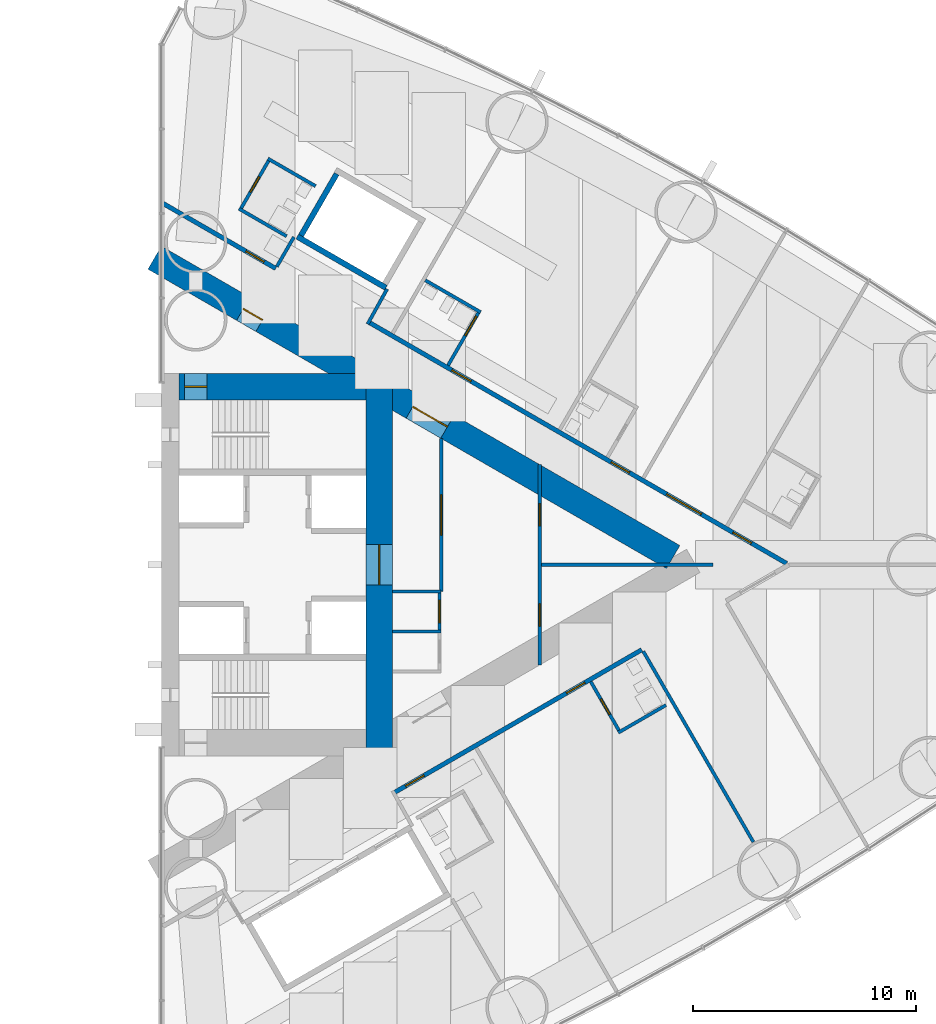
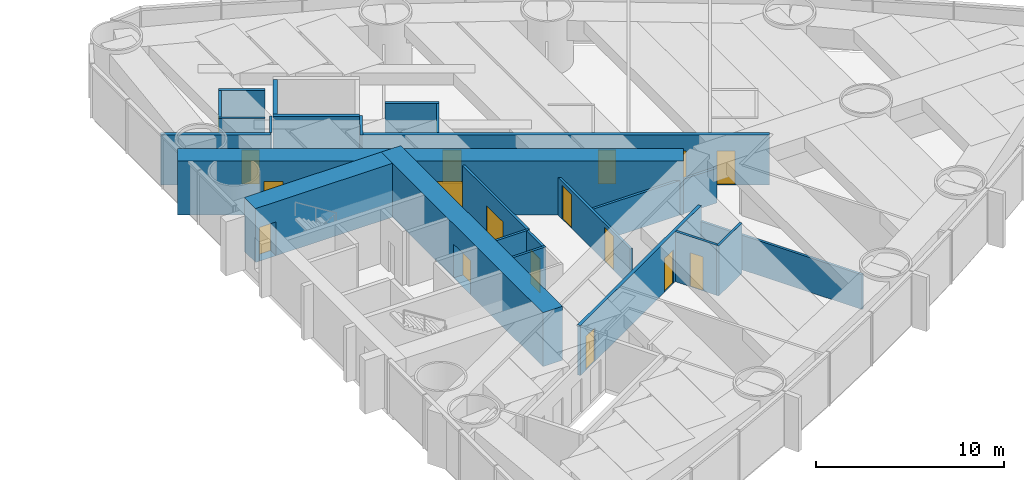
# One storey, part 15 of 19: 24 walls, 18 doors, 18 openings.
"""IFC4 building model written with IfcOpenShell, lengths in metres."""

from ifc_helpers import new_model, si_unit, direction, frame, frame_2d, origin, place, context, subcontext, project, spatial, rectangle, extrude, material, layer, layer_set, type_object, element, fill, save


model = new_model("IFC4")

# Units and contexts
model_context = context("Model", 3, precision=1e-05, world=origin(), true_north=direction((0.0, 1.0)))
body_context = subcontext(model_context, "Body", "Model", "MODEL_VIEW")
ifc_project = project(units=[si_unit("LENGTHUNIT", "METRE"), si_unit("AREAUNIT", "SQUARE_METRE"), si_unit("VOLUMEUNIT", "CUBIC_METRE"), si_unit("PLANEANGLEUNIT", "RADIAN"), si_unit("MASSUNIT", "GRAM", prefix="KILO")], contexts=[model_context])

# Site, building, storey
site_placement = place(None, origin())
site = spatial("IfcSite", under=ifc_project, at=site_placement, CompositionType="ELEMENT")
building_placement = place(site_placement, origin())
building = spatial("IfcBuilding", under=site, at=building_placement, Name="Lancet Gate Hotel", CompositionType="ELEMENT")
storey_placement = place(building_placement, frame((0.0, 0.0, 70.5)))
storey = spatial("IfcBuildingStorey", under=building, at=storey_placement, Name="L18", CompositionType="ELEMENT", Elevation=70.5)

# Wall
ifc_material_1 = material(Name="Moisture resistant board partition")
ifc_layer_1 = layer(ifc_material_1, 0.14990234375)
ifc_layer_set_1 = layer_set([ifc_layer_1], Name="Bathroom wall 150")
wall_type_1 = type_object("IfcWallType", Name="Bathroom wall 150", PredefinedType="PARTITIONING", material=ifc_layer_set_1)
wall_1_placement = place(storey_placement, frame((48.03466796875, -7.544677734375, 0.0), z_axis=(0.0, 0.0, 1.0), x_axis=(0.866006523861, 0.500032699561, 0.0)))
element("IfcWall", 1, at=wall_1_placement, inside=storey, type_object=wall_type_1, Name="T2 bathroom wall 150 L18", PredefinedType="PARTITIONING", context=body_context, shape_type="SweptSolid", body=[
    extrude(rectangle(XDim=2.474853515625, YDim=0.14990234375, at=frame_2d((1.2373046875, 0.0))), origin(), (0.0, 0.0, 1.0), 3.25),
])

# Wall, opening, door
wall_2_placement = place(storey_placement, frame((46.799560546875, -5.25537109375, 0.0), z_axis=(0.0, 0.0, 1.0), x_axis=(0.500006934395, -0.866021400173, 0.0)))
wall_2 = element("IfcWall", 2, at=wall_2_placement, inside=storey, type_object=wall_type_1, Name="T2 bathroom wall 150 L18", PredefinedType="PARTITIONING", context=body_context, shape_type="SweptSolid", body=[
    extrude(rectangle(XDim=2.60009765625, YDim=0.14990234375, at=frame_2d((1.300048828125, 0.0))), origin(), (0.0, 0.0, 1.0), 3.25),
])
opening_1_placement = place(wall_2_placement, frame((0.89990234375, 0.0, 0.0)))
opening_1 = element("IfcOpeningElement", 3, at=opening_1_placement, cuts=wall_2, Name="Opening 1854-B", PredefinedType="OPENING", context=body_context, shape_type="SweptSolid", body=[
    extrude(rectangle(XDim=0.800048828125, YDim=2.199951171875, at=frame_2d((0.39990234375, 1.10009765625))), frame((0.0, 0.0849609375, 0.0), z_axis=(0.0, -1.0, 0.0), x_axis=(1.0, 0.0, 0.0)), (0.0, 0.0, 1.0), 0.169921875),
])
ifc_material_2 = material(Name="Timber door set", Category="wood")
door_type_1 = type_object("IfcDoorType", Name="Bathroom door 800", OperationType="SINGLE_SWING_RIGHT", PredefinedType="DOOR", material=ifc_material_2)
door_1_placement = place(opening_1_placement, origin())
door_1 = element("IfcDoor", 4, at=door_1_placement, inside=storey, type_object=door_type_1, Name="1854-B", OperationType="SINGLE_SWING_RIGHT", OverallHeight=2.199951171875, OverallWidth=0.800048828125, PredefinedType="DOOR", context=body_context, shape_type="SweptSolid", body=[
    extrude(rectangle(XDim=0.800048828125, YDim=2.199951171875, at=frame_2d((0.39990234375, 1.10009765625))), frame((0.0, 0.02490234375, 0.0), z_axis=(0.0, -1.0, 0.0), x_axis=(1.0, 0.0, 0.0)), (0.0, 0.0, 1.0), 0.050048828125),
])
fill(opening_1, door_1)

# Wall
wall_3_placement = place(storey_placement, frame((39.360107421875, 12.78369140625, 0.0), z_axis=(0.0, 0.0, 1.0), x_axis=(0.866018712932, -0.500011588718, 0.0)))
element("IfcWall", 5, at=wall_3_placement, inside=storey, type_object=wall_type_1, Name="T2 bathroom wall 150 L18", PredefinedType="PARTITIONING", context=body_context, shape_type="SweptSolid", body=[
    extrude(rectangle(XDim=2.875, YDim=0.14990234375, at=frame_2d((1.4375, 0.0))), origin(), (0.0, 0.0, 1.0), 3.25),
])

# Wall, opening, door
wall_4_placement = place(storey_placement, frame((40.385009765625, 8.958984375, 0.0), z_axis=(0.0, 0.0, 1.0), x_axis=(0.49998411664, 0.866034573852, 0.0)))
wall_4 = element("IfcWall", 6, at=wall_4_placement, inside=storey, type_object=wall_type_1, Name="T2 bathroom wall 150 L18", PredefinedType="PARTITIONING", context=body_context, shape_type="SweptSolid", body=[
    extrude(rectangle(XDim=2.7998046875, YDim=0.14990234375, at=frame_2d((1.39990234375, 0.0))), origin(), (0.0, 0.0, 1.0), 3.25),
])
opening_2_placement = place(wall_4_placement, frame((1.550048828125, 0.0, 0.0)))
opening_2 = element("IfcOpeningElement", 7, at=opening_2_placement, cuts=wall_4, Name="Opening 1861-B", PredefinedType="OPENING", context=body_context, shape_type="SweptSolid", body=[
    extrude(rectangle(XDim=1.0, YDim=2.199951171875, at=frame_2d((0.5, 1.10009765625))), frame((0.0, 0.0849609375, 0.0), z_axis=(0.0, -1.0, 0.0), x_axis=(1.0, 0.0, 0.0)), (0.0, 0.0, 1.0), 0.169921875),
])
ifc_material_3 = material(Name="Timber door set", Category="wood")
door_type_2 = type_object("IfcDoorType", Name="Accessible en-suite door 1000", OperationType="SINGLE_SWING_RIGHT", PredefinedType="DOOR", material=ifc_material_3)
door_2_placement = place(opening_2_placement, origin())
door_2 = element("IfcDoor", 8, at=door_2_placement, inside=storey, type_object=door_type_2, Name="1861-B", OperationType="SINGLE_SWING_RIGHT", OverallHeight=2.199951171875, OverallWidth=1.0, PredefinedType="DOOR", context=body_context, shape_type="SweptSolid", body=[
    extrude(rectangle(XDim=1.0, YDim=2.199951171875, at=frame_2d((0.5, 1.10009765625))), frame((0.0, 0.02490234375, 0.0), z_axis=(0.0, -1.0, 0.0), x_axis=(1.0, 0.0, 0.0)), (0.0, 0.0, 1.0), 0.050048828125),
])
fill(opening_2, door_2)

# Wall
wall_5_placement = place(storey_placement, frame((32.2890625, 18.251953125, 0.0), z_axis=(0.0, 0.0, 1.0), x_axis=(0.866006523861, -0.500032699561, 0.0)))
element("IfcWall", 9, at=wall_5_placement, inside=storey, type_object=wall_type_1, Name="T2 bathroom wall 150 L18", PredefinedType="PARTITIONING", context=body_context, shape_type="SweptSolid", body=[
    extrude(rectangle(XDim=2.474853515625, YDim=0.14990234375, at=frame_2d((1.2373046875, 0.0))), origin(), (0.0, 0.0, 1.0), 3.25),
])

# Wall, opening, door
wall_6_placement = place(storey_placement, frame((31.053955078125, 15.962646484375, 0.0), z_axis=(0.0, 0.0, 1.0), x_axis=(0.500006934395, 0.866021400173, 0.0)))
wall_6 = element("IfcWall", 10, at=wall_6_placement, inside=storey, type_object=wall_type_1, Name="T2 bathroom wall 150 L18", PredefinedType="PARTITIONING", context=body_context, shape_type="SweptSolid", body=[
    extrude(rectangle(XDim=2.60009765625, YDim=0.14990234375, at=frame_2d((1.300048828125, 0.0))), origin(), (0.0, 0.0, 1.0), 3.25),
])
opening_3_placement = place(wall_6_placement, frame((0.89990234375, 0.0, 0.0)))
opening_3 = element("IfcOpeningElement", 11, at=opening_3_placement, cuts=wall_6, Name="Opening 1863-B", PredefinedType="OPENING", context=body_context, shape_type="SweptSolid", body=[
    extrude(rectangle(XDim=0.800048828125, YDim=2.199951171875, at=frame_2d((0.39990234375, 1.10009765625))), frame((0.0, 0.0849609375, 0.0), z_axis=(0.0, -1.0, 0.0), x_axis=(1.0, 0.0, 0.0)), (0.0, 0.0, 1.0), 0.169921875),
])
door_3_placement = place(opening_3_placement, origin())
door_3 = element("IfcDoor", 12, at=door_3_placement, inside=storey, type_object=door_type_1, Name="1863-B", OperationType="SINGLE_SWING_RIGHT", OverallHeight=2.199951171875, OverallWidth=0.800048828125, PredefinedType="DOOR", context=body_context, shape_type="SweptSolid", body=[
    extrude(rectangle(XDim=0.800048828125, YDim=2.199951171875, at=frame_2d((0.39990234375, 1.10009765625))), frame((0.0, 0.02490234375, 0.0), z_axis=(0.0, -1.0, 0.0), x_axis=(1.0, 0.0, 0.0)), (0.0, 0.0, 1.0), 0.050048828125),
])
fill(opening_3, door_3)

# Wall
wall_7_placement = place(storey_placement, frame((30.989013671875, 16.000244140625, 0.0), z_axis=(0.0, 0.0, 1.0), x_axis=(0.866031185235, -0.4999899861, 0.0)))
element("IfcWall", 13, at=wall_7_placement, inside=storey, type_object=wall_type_1, Name="T2 bathroom wall 150 L18", PredefinedType="PARTITIONING", context=body_context, shape_type="SweptSolid", body=[
    extrude(rectangle(XDim=2.47509765625, YDim=0.14990234375, at=frame_2d((1.237548828125, 0.0))), origin(), (0.0, 0.0, 1.0), 3.25),
])

# Wall, openings, doors
ifc_material_4 = material(Name="Concrete C70/85", Category="concrete")
ifc_layer_2 = layer(ifc_material_4, 1.199951171875)
ifc_layer_set_2 = layer_set([ifc_layer_2], Name="Buttress wall 1200")
wall_type_2 = type_object("IfcWallType", Name="Buttress wall 1200", PredefinedType="SHEAR", material=ifc_layer_set_2)
wall_8_placement = place(storey_placement, frame((27.199951171875, 13.800048828125, 0.0), z_axis=(0.0, 0.0, 1.0), x_axis=(0.866024515034, -0.500001539357, 0.0)))
wall_8 = element("IfcWall", 14, at=wall_8_placement, inside=storey, type_object=wall_type_2, Name="T2 buttress wall N L18", PredefinedType="SHEAR", context=body_context, shape_type="SweptSolid", body=[
    extrude(rectangle(XDim=26.9072265625, YDim=1.199951171875, at=frame_2d((13.45361328125, 0.0))), origin(), (0.0, 0.0, 1.0), 3.5),
])
opening_4_placement = place(wall_8_placement, frame((4.60009765625, 0.0, 0.0)))
opening_4 = element("IfcOpeningElement", 15, at=opening_4_placement, cuts=wall_8, Name="Opening T2-L18-LN", PredefinedType="OPENING", context=body_context, shape_type="SweptSolid", body=[
    extrude(rectangle(XDim=1.0, YDim=2.199951171875, at=frame_2d((0.5, 1.10009765625))), frame((0.0, 0.60986328125, 0.0), z_axis=(0.0, -1.0, 0.0), x_axis=(1.0, 0.0, 0.0)), (0.0, 0.0, 1.0), 1.219970703125),
])
opening_5_placement = place(wall_8_placement, frame((13.39453125, 0.0, 0.0)))
opening_5 = element("IfcOpeningElement", 16, at=opening_5_placement, cuts=wall_8, Name="Opening T2-L18-LHN", PredefinedType="OPENING", context=body_context, shape_type="SweptSolid", body=[
    extrude(rectangle(XDim=1.800048828125, YDim=2.199951171875, at=frame_2d((0.89990234375, 1.10009765625))), frame((0.0, 0.60986328125, 0.0), z_axis=(0.0, -1.0, 0.0), x_axis=(1.0, 0.0, 0.0)), (0.0, 0.0, 1.0), 1.219970703125),
])
ifc_material_5 = material(Name="Timber door set", Category="wood")
door_type_3 = type_object("IfcDoorType", Name="Lobby double door 1800", OperationType="DOUBLE_DOOR_SINGLE_SWING", PredefinedType="DOOR", material=ifc_material_5)
door_4_placement = place(opening_5_placement, origin())
door_4 = element("IfcDoor", 17, at=door_4_placement, inside=storey, type_object=door_type_3, Name="T2-L18-LHN", OperationType="DOUBLE_DOOR_SINGLE_SWING", OverallHeight=2.199951171875, OverallWidth=1.800048828125, PredefinedType="DOOR", context=body_context, shape_type="SweptSolid", body=[
    extrude(rectangle(XDim=1.800048828125, YDim=2.199951171875, at=frame_2d((0.89990234375, 1.10009765625))), frame((0.0, 0.02490234375, 0.0), z_axis=(0.0, -1.0, 0.0), x_axis=(1.0, 0.0, 0.0)), (0.0, 0.0, 1.0), 0.050048828125),
])
fill(opening_5, door_4)
ifc_material_6 = material(Name="Timber door set", Category="wood")
door_type_4 = type_object("IfcDoorType", Name="Stair lobby door 1000", OperationType="SINGLE_SWING_LEFT", PredefinedType="DOOR", material=ifc_material_6)
door_5_placement = place(opening_4_placement, origin())
door_5 = element("IfcDoor", 18, at=door_5_placement, inside=storey, type_object=door_type_4, Name="T2-L18-LN", OperationType="SINGLE_SWING_LEFT", OverallHeight=2.199951171875, OverallWidth=1.0, PredefinedType="DOOR", context=body_context, shape_type="SweptSolid", body=[
    extrude(rectangle(XDim=1.0, YDim=2.199951171875, at=frame_2d((0.5, 1.10009765625))), frame((0.0, 0.02490234375, 0.0), z_axis=(0.0, -1.0, 0.0), x_axis=(1.0, 0.0, 0.0)), (0.0, 0.0, 1.0), 0.050048828125),
])
fill(opening_4, door_5)

# Wall, opening, door
ifc_material_7 = material(Name="Concrete C70/85", Category="concrete")
ifc_layer_3 = layer(ifc_material_7, 1.199951171875)
ifc_layer_set_3 = layer_set([ifc_layer_3], Name="Core wall 1200")
wall_type_3 = type_object("IfcWallType", Name="Core wall 1200", PredefinedType="SHEAR", material=ifc_layer_set_3)
wall_9_placement = place(storey_placement, frame((37.300048828125, -8.60009765625, 0.0), z_axis=(0.0, 0.0, 1.0), x_axis=(0.0, 1.0, 0.0)))
wall_9 = element("IfcWall", 19, at=wall_9_placement, inside=storey, type_object=wall_type_3, Name="T2 core wall back L18", PredefinedType="SHEAR", context=body_context, shape_type="SweptSolid", body=[
    extrude(rectangle(XDim=17.2001953125, YDim=1.199951171875, at=frame_2d((8.60009765625, 0.0))), origin(), (0.0, 0.0, 1.0), 3.5),
])
opening_6_placement = place(wall_9_placement, frame((7.699951171875, 0.0, 0.0)))
opening_6 = element("IfcOpeningElement", 20, at=opening_6_placement, cuts=wall_9, Name="Opening T2-L18-LL", PredefinedType="OPENING", context=body_context, shape_type="SweptSolid", body=[
    extrude(rectangle(XDim=1.800048828125, YDim=2.199951171875, at=frame_2d((0.89990234375, 1.10009765625))), frame((0.0, 0.60986328125, 0.0), z_axis=(0.0, -1.0, 0.0), x_axis=(1.0, 0.0, 0.0)), (0.0, 0.0, 1.0), 1.219970703125),
])
door_6_placement = place(opening_6_placement, origin())
door_6 = element("IfcDoor", 21, at=door_6_placement, inside=storey, type_object=door_type_3, Name="T2-L18-LL", OperationType="DOUBLE_DOOR_SINGLE_SWING", OverallHeight=2.199951171875, OverallWidth=1.800048828125, PredefinedType="DOOR", context=body_context, shape_type="SweptSolid", body=[
    extrude(rectangle(XDim=1.800048828125, YDim=2.199951171875, at=frame_2d((0.89990234375, 1.10009765625))), frame((0.0, 0.02490234375, 0.0), z_axis=(0.0, -1.0, 0.0), x_axis=(1.0, 0.0, 0.0)), (0.0, 0.0, 1.0), 0.050048828125),
])
fill(opening_6, door_6)

wall_10_placement = place(storey_placement, frame((28.300048828125, 8.0, 0.0), z_axis=(0.0, 0.0, 1.0), x_axis=(1.0, 0.0, 0.0)))
wall_10 = element("IfcWall", 22, at=wall_10_placement, inside=storey, type_object=wall_type_3, Name="T2 core wall side-N L18", PredefinedType="SHEAR", context=body_context, shape_type="SweptSolid", body=[
    extrude(rectangle(XDim=8.39990234375, YDim=1.199951171875, at=frame_2d((4.199951171875, 0.0))), origin(), (0.0, 0.0, 1.0), 3.5),
])
opening_7_placement = place(wall_10_placement, frame((0.25, 0.0, 0.0)))
opening_7 = element("IfcOpeningElement", 23, at=opening_7_placement, cuts=wall_10, Name="Opening T2-L18-ST2", PredefinedType="OPENING", context=body_context, shape_type="SweptSolid", body=[
    extrude(rectangle(XDim=1.0, YDim=2.199951171875, at=frame_2d((0.5, 1.10009765625))), frame((0.0, 0.60986328125, 0.0), z_axis=(0.0, -1.0, 0.0), x_axis=(1.0, 0.0, 0.0)), (0.0, 0.0, 1.0), 1.219970703125),
])
ifc_material_8 = material(Name="Timber door set", Category="wood")
door_type_5 = type_object("IfcDoorType", Name="Stair door 1000", OperationType="SINGLE_SWING_RIGHT", PredefinedType="DOOR", material=ifc_material_8)
door_7_placement = place(opening_7_placement, origin())
door_7 = element("IfcDoor", 24, at=door_7_placement, inside=storey, type_object=door_type_5, Name="T2-L18-ST2", OperationType="SINGLE_SWING_RIGHT", OverallHeight=2.199951171875, OverallWidth=1.0, PredefinedType="DOOR", context=body_context, shape_type="SweptSolid", body=[
    extrude(rectangle(XDim=1.0, YDim=2.199951171875, at=frame_2d((0.5, 1.10009765625))), frame((0.0, 0.02490234375, 0.0), z_axis=(0.0, -1.0, 0.0), x_axis=(1.0, 0.0, 0.0)), (0.0, 0.0, 1.0), 0.050048828125),
])
fill(opening_7, door_7)

ifc_material_9 = material(Name="Gypsum board partition")
ifc_layer_4 = layer(ifc_material_9, 0.199951171875)
ifc_layer_set_4 = layer_set([ifc_layer_4], Name="Corridor wall 200")
wall_type_4 = type_object("IfcWallType", Name="Corridor wall 200", PredefinedType="PARTITIONING", material=ifc_layer_set_4)
wall_11_placement = place(storey_placement, frame((27.572021484375, 16.240966796875, 0.0), z_axis=(0.0, 0.0, 1.0), x_axis=(0.866032814021, -0.499987164874, 0.0)))
wall_11 = element("IfcWall", 25, at=wall_11_placement, inside=storey, type_object=wall_type_4, Name="T2 corridor wall 200 L18", PredefinedType="PARTITIONING", context=body_context, shape_type="SweptSolid", body=[
    extrude(rectangle(XDim=5.854736328125, YDim=0.199951171875, at=frame_2d((2.92724609375, 0.0))), origin(), (0.0, 0.0, 1.0), 3.25),
])
opening_8_placement = place(wall_11_placement, frame((4.3046875, 0.0, 0.0)))
opening_8 = element("IfcOpeningElement", 26, at=opening_8_placement, cuts=wall_11, Name="Opening 1863-E", PredefinedType="OPENING", context=body_context, shape_type="SweptSolid", body=[
    extrude(rectangle(XDim=0.949951171875, YDim=2.199951171875, at=frame_2d((0.47509765625, 1.10009765625))), frame((0.0, 0.10986328125, 0.0), z_axis=(0.0, -1.0, 0.0), x_axis=(1.0, 0.0, 0.0)), (0.0, 0.0, 1.0), 0.219970703125),
])
ifc_material_10 = material(Name="Timber door set", Category="wood")
door_type_6 = type_object("IfcDoorType", Name="Guest room entry door 950", OperationType="SINGLE_SWING_LEFT", PredefinedType="DOOR", material=ifc_material_10)
door_8_placement = place(opening_8_placement, origin())
door_8 = element("IfcDoor", 27, at=door_8_placement, inside=storey, type_object=door_type_6, Name="1863-E", OperationType="SINGLE_SWING_LEFT", OverallHeight=2.199951171875, OverallWidth=0.949951171875, PredefinedType="DOOR", context=body_context, shape_type="SweptSolid", body=[
    extrude(rectangle(XDim=0.949951171875, YDim=2.199951171875, at=frame_2d((0.47509765625, 1.10009765625))), frame((0.0, 0.02490234375, 0.0), z_axis=(0.0, -1.0, 0.0), x_axis=(1.0, 0.0, 0.0)), (0.0, 0.0, 1.0), 0.050048828125),
])
fill(opening_8, door_8)

# Wall, openings, doors
wall_12_placement = place(storey_placement, frame((36.833984375, 10.8935546875, 0.0), z_axis=(0.0, 0.0, 1.0), x_axis=(0.866028157229, -0.499995230863, 0.0)))
wall_12 = element("IfcWall", 28, at=wall_12_placement, inside=storey, type_object=wall_type_4, Name="T2 corridor wall 200 L18", PredefinedType="PARTITIONING", context=body_context, shape_type="SweptSolid", body=[
    extrude(rectangle(XDim=21.667236328125, YDim=0.199951171875, at=frame_2d((10.83349609375, 0.0))), origin(), (0.0, 0.0, 1.0), 3.25),
])
opening_9_placement = place(wall_12_placement, frame((18.885498046875, 0.0, 0.0)))
opening_9 = element("IfcOpeningElement", 29, at=opening_9_placement, cuts=wall_12, Name="Opening 1858-E", PredefinedType="OPENING", context=body_context, shape_type="SweptSolid", body=[
    extrude(rectangle(XDim=0.949951171875, YDim=2.199951171875, at=frame_2d((0.47509765625, 1.10009765625))), frame((0.0, 0.10986328125, 0.0), z_axis=(0.0, -1.0, 0.0), x_axis=(1.0, 0.0, 0.0)), (0.0, 0.0, 1.0), 0.219970703125),
])
opening_10_placement = place(wall_12_placement, frame((15.442626953125, 0.0, 0.0)))
opening_10 = element("IfcOpeningElement", 30, at=opening_10_placement, cuts=wall_12, Name="Opening 1859-E", PredefinedType="OPENING", context=body_context, shape_type="SweptSolid", body=[
    extrude(rectangle(XDim=1.800048828125, YDim=2.199951171875, at=frame_2d((0.89990234375, 1.10009765625))), frame((0.0, 0.10986328125, 0.0), z_axis=(0.0, -1.0, 0.0), x_axis=(1.0, 0.0, 0.0)), (0.0, 0.0, 1.0), 0.219970703125),
])
opening_11_placement = place(wall_12_placement, frame((12.561767578125, 0.0, 0.0)))
opening_11 = element("IfcOpeningElement", 31, at=opening_11_placement, cuts=wall_12, Name="Opening 1860-E", PredefinedType="OPENING", context=body_context, shape_type="SweptSolid", body=[
    extrude(rectangle(XDim=0.949951171875, YDim=2.199951171875, at=frame_2d((0.47509765625, 1.10009765625))), frame((0.0, 0.10986328125, 0.0), z_axis=(0.0, -1.0, 0.0), x_axis=(1.0, 0.0, 0.0)), (0.0, 0.0, 1.0), 0.219970703125),
])
opening_12_placement = place(wall_12_placement, frame((4.29248046875, 0.0, 0.0)))
opening_12 = element("IfcOpeningElement", 32, at=opening_12_placement, cuts=wall_12, Name="Opening 1861-E", PredefinedType="OPENING", context=body_context, shape_type="SweptSolid", body=[
    extrude(rectangle(XDim=1.0, YDim=2.199951171875, at=frame_2d((0.5, 1.10009765625))), frame((0.0, 0.10986328125, 0.0), z_axis=(0.0, -1.0, 0.0), x_axis=(1.0, 0.0, 0.0)), (0.0, 0.0, 1.0), 0.219970703125),
])
ifc_material_11 = material(Name="Timber door set", Category="wood")
door_type_7 = type_object("IfcDoorType", Name="Accessible guest room door 1000", OperationType="SINGLE_SWING_LEFT", PredefinedType="DOOR", material=ifc_material_11)
door_9_placement = place(opening_12_placement, origin())
door_9 = element("IfcDoor", 33, at=door_9_placement, inside=storey, type_object=door_type_7, Name="1861-E", OperationType="SINGLE_SWING_LEFT", OverallHeight=2.199951171875, OverallWidth=1.0, PredefinedType="DOOR", context=body_context, shape_type="SweptSolid", body=[
    extrude(rectangle(XDim=1.0, YDim=2.199951171875, at=frame_2d((0.5, 1.10009765625))), frame((0.0, 0.02490234375, 0.0), z_axis=(0.0, -1.0, 0.0), x_axis=(1.0, 0.0, 0.0)), (0.0, 0.0, 1.0), 0.050048828125),
])
fill(opening_12, door_9)
ifc_material_12 = material(Name="Timber door set", Category="wood")
door_type_8 = type_object("IfcDoorType", Name="Double door 1800", OperationType="DOUBLE_DOOR_SINGLE_SWING", PredefinedType="DOOR", material=ifc_material_12)
door_10_placement = place(opening_10_placement, origin())
door_10 = element("IfcDoor", 34, at=door_10_placement, inside=storey, type_object=door_type_8, Name="1859-E", OperationType="DOUBLE_DOOR_SINGLE_SWING", OverallHeight=2.199951171875, OverallWidth=1.800048828125, PredefinedType="DOOR", context=body_context, shape_type="SweptSolid", body=[
    extrude(rectangle(XDim=1.800048828125, YDim=2.199951171875, at=frame_2d((0.89990234375, 1.10009765625))), frame((0.0, 0.02490234375, 0.0), z_axis=(0.0, -1.0, 0.0), x_axis=(1.0, 0.0, 0.0)), (0.0, 0.0, 1.0), 0.050048828125),
])
fill(opening_10, door_10)
door_11_placement = place(opening_9_placement, origin())
door_11 = element("IfcDoor", 35, at=door_11_placement, inside=storey, type_object=door_type_6, Name="1858-E", OperationType="SINGLE_SWING_LEFT", OverallHeight=2.199951171875, OverallWidth=0.949951171875, PredefinedType="DOOR", context=body_context, shape_type="SweptSolid", body=[
    extrude(rectangle(XDim=0.949951171875, YDim=2.199951171875, at=frame_2d((0.47509765625, 1.10009765625))), frame((0.0, 0.02490234375, 0.0), z_axis=(0.0, -1.0, 0.0), x_axis=(1.0, 0.0, 0.0)), (0.0, 0.0, 1.0), 0.050048828125),
])
fill(opening_9, door_11)
door_12_placement = place(opening_11_placement, origin())
door_12 = element("IfcDoor", 36, at=door_12_placement, inside=storey, type_object=door_type_6, Name="1860-E", OperationType="SINGLE_SWING_LEFT", OverallHeight=2.199951171875, OverallWidth=0.949951171875, PredefinedType="DOOR", context=body_context, shape_type="SweptSolid", body=[
    extrude(rectangle(XDim=0.949951171875, YDim=2.199951171875, at=frame_2d((0.47509765625, 1.10009765625))), frame((0.0, 0.02490234375, 0.0), z_axis=(0.0, -1.0, 0.0), x_axis=(1.0, 0.0, 0.0)), (0.0, 0.0, 1.0), 0.050048828125),
])
fill(opening_11, door_12)

wall_13_placement = place(storey_placement, frame((37.9599609375, -10.243408203125, 0.0), z_axis=(0.0, 0.0, 1.0), x_axis=(0.866030548046, 0.499991089772, 0.0)))
wall_13 = element("IfcWall", 37, at=wall_13_placement, inside=storey, type_object=wall_type_4, Name="T2 corridor wall 200 L18", PredefinedType="PARTITIONING", context=body_context, shape_type="SweptSolid", body=[
    extrude(rectangle(XDim=12.849365234375, YDim=0.199951171875, at=frame_2d((6.4248046875, 0.0))), origin(), (0.0, 0.0, 1.0), 3.25),
])
opening_13_placement = place(wall_13_placement, frame((8.949462890625, 0.0, 0.0)))
opening_13 = element("IfcOpeningElement", 38, at=opening_13_placement, cuts=wall_13, Name="Opening 1854-E", PredefinedType="OPENING", context=body_context, shape_type="SweptSolid", body=[
    extrude(rectangle(XDim=0.949951171875, YDim=2.199951171875, at=frame_2d((0.47509765625, 1.10009765625))), frame((0.0, 0.10986328125, 0.0), z_axis=(0.0, -1.0, 0.0), x_axis=(1.0, 0.0, 0.0)), (0.0, 0.0, 1.0), 0.219970703125),
])
opening_14_placement = place(wall_13_placement, frame((0.60009765625, 0.0, 0.0)))
opening_14 = element("IfcOpeningElement", 39, at=opening_14_placement, cuts=wall_13, Name="Opening 1853-E", PredefinedType="OPENING", context=body_context, shape_type="SweptSolid", body=[
    extrude(rectangle(XDim=0.949951171875, YDim=2.199951171875, at=frame_2d((0.47509765625, 1.10009765625))), frame((0.0, 0.10986328125, 0.0), z_axis=(0.0, -1.0, 0.0), x_axis=(1.0, 0.0, 0.0)), (0.0, 0.0, 1.0), 0.219970703125),
])
door_13_placement = place(opening_13_placement, origin())
door_13 = element("IfcDoor", 40, at=door_13_placement, inside=storey, type_object=door_type_6, Name="1854-E", OperationType="SINGLE_SWING_LEFT", OverallHeight=2.199951171875, OverallWidth=0.949951171875, PredefinedType="DOOR", context=body_context, shape_type="SweptSolid", body=[
    extrude(rectangle(XDim=0.949951171875, YDim=2.199951171875, at=frame_2d((0.47509765625, 1.10009765625))), frame((0.0, 0.02490234375, 0.0), z_axis=(0.0, -1.0, 0.0), x_axis=(1.0, 0.0, 0.0)), (0.0, 0.0, 1.0), 0.050048828125),
])
fill(opening_13, door_13)
door_14_placement = place(opening_14_placement, origin())
door_14 = element("IfcDoor", 41, at=door_14_placement, inside=storey, type_object=door_type_6, Name="1853-E", OperationType="SINGLE_SWING_LEFT", OverallHeight=2.199951171875, OverallWidth=0.949951171875, PredefinedType="DOOR", context=body_context, shape_type="SweptSolid", body=[
    extrude(rectangle(XDim=0.949951171875, YDim=2.199951171875, at=frame_2d((0.47509765625, 1.10009765625))), frame((0.0, 0.02490234375, 0.0), z_axis=(0.0, -1.0, 0.0), x_axis=(1.0, 0.0, 0.0)), (0.0, 0.0, 1.0), 0.050048828125),
])
fill(opening_14, door_14)

# Walls
ifc_material_13 = material(Name="Gypsum board partition")
ifc_layer_5 = layer(ifc_material_13, 0.25)
ifc_layer_set_5 = layer_set([ifc_layer_5], Name="Lift shaft partition 250")
wall_type_5 = type_object("IfcWallType", Name="Lift shaft partition 250", PredefinedType="PARTITIONING", material=ifc_layer_set_5)
wall_14_placement = place(storey_placement, frame((33.6083984375, 14.747314453125, 0.0), z_axis=(0.0, 0.0, 1.0), x_axis=(0.866043305498, -0.49996899204, 0.0)))
element("IfcWall", 42, at=wall_14_placement, inside=storey, type_object=wall_type_5, Name="T2 lift shaft wall EX L18", PredefinedType="PARTITIONING", context=body_context, shape_type="SweptSolid", body=[
    extrude(rectangle(XDim=4.600341796875, YDim=0.25, at=frame_2d((2.30029296875, 0.0))), origin(), (0.0, 0.0, 1.0), 3.25),
])
wall_15_placement = place(storey_placement, frame((33.779296875, 14.79296875, 0.0), z_axis=(0.0, 0.0, 1.0), x_axis=(0.499929347863, 0.866066190972, 0.0)))
element("IfcWall", 43, at=wall_15_placement, inside=storey, type_object=wall_type_5, Name="T2 lift shaft wall EX L18", PredefinedType="PARTITIONING", context=body_context, shape_type="SweptSolid", body=[
    extrude(rectangle(XDim=3.20068359375, YDim=0.25, at=frame_2d((1.600341796875, 0.0))), origin(), (0.0, 0.0, 1.0), 3.25),
])
ifc_material_14 = material(Name="Gypsum board partition")
ifc_layer_6 = layer(ifc_material_14, 0.14990234375)
ifc_layer_set_6 = layer_set([ifc_layer_6], Name="Party wall 150")
wall_type_6 = type_object("IfcWallType", Name="Party wall 150", PredefinedType="PARTITIONING", material=ifc_layer_set_6)
wall_16_placement = place(storey_placement, frame((49.159423828125, -3.892822265625, 0.0), z_axis=(0.0, 0.0, 1.0), x_axis=(0.499998773722, -0.866026111775, 0.0)))
element("IfcWall", 44, at=wall_16_placement, inside=storey, type_object=wall_type_6, Name="T2 party wall 150 L18", PredefinedType="PARTITIONING", context=body_context, shape_type="SweptSolid", body=[
    extrude(rectangle(XDim=9.8916015625, YDim=0.14990234375, at=frame_2d((4.94580078125, 0.0))), origin(), (0.0, 0.0, 1.0), 2.25),
])
ifc_material_15 = material(Name="Gypsum board partition")
ifc_layer_7 = layer(ifc_material_15, 0.14990234375)
ifc_layer_set_7 = layer_set([ifc_layer_7], Name="Service room wall 150")
wall_type_7 = type_object("IfcWallType", Name="Service room wall 150", PredefinedType="PARTITIONING", material=ifc_layer_set_7)
wall_17_placement = place(storey_placement, frame((36.77099609375, 10.814453125, 0.0), z_axis=(0.0, 0.0, 1.0), x_axis=(0.485585508183, 0.874189175317, 0.0)))
element("IfcWall", 45, at=wall_17_placement, inside=storey, type_object=wall_type_7, Name="T2 service room wall 150 L18", PredefinedType="PARTITIONING", context=body_context, shape_type="SweptSolid", body=[
    extrude(rectangle(XDim=1.804931640625, YDim=0.14990234375, at=frame_2d((0.90234375, 0.0))), origin(), (0.0, 0.0, 1.0), 3.25),
])
wall_18_placement = place(storey_placement, frame((32.6923828125, 13.400390625, 0.0), z_axis=(0.0, 0.0, 1.0), x_axis=(0.499985008713, 0.866034058835, 0.0)))
element("IfcWall", 46, at=wall_18_placement, inside=storey, type_object=wall_type_7, Name="T2 service room wall 150 L18", PredefinedType="PARTITIONING", context=body_context, shape_type="SweptSolid", body=[
    extrude(rectangle(XDim=1.529296875, YDim=0.14990234375, at=frame_2d((0.7646484375, 0.0))), origin(), (0.0, 0.0, 1.0), 3.25),
])
for number, where, z_axis, x_axis, name in (
    (47, (37.89990234375, -1.199951171875, 0.0), (0.0, 0.0, 1.0), (1.0, 0.0, 0.0), "T2 service room wall 150 L18"),
    (48, (37.89990234375, -3.0, 0.0), (0.0, 0.0, 1.0), (1.0, 0.0, 0.0), "T2 service room wall 150 L18"),
):
    element("IfcWall", number, at=place(storey_placement, frame(where, z_axis=z_axis, x_axis=x_axis)), inside=storey, type_object=wall_type_7, Name=name, PredefinedType="PARTITIONING", context=body_context, shape_type="SweptSolid", body=[
        extrude(rectangle(XDim=2.175048828125, YDim=0.14990234375, at=frame_2d((1.08740234375, 0.0))), origin(), (0.0, 0.0, 1.0), 3.25),
    ])

# Wall, opening, door
wall_19_placement = place(storey_placement, frame((40.0, -3.074951171875, 0.0), z_axis=(0.0, 0.0, 1.0), x_axis=(0.0, 1.0, 0.0)))
wall_19 = element("IfcWall", 49, at=wall_19_placement, inside=storey, type_object=wall_type_7, Name="T2 service room wall 150 L18", PredefinedType="PARTITIONING", context=body_context, shape_type="SweptSolid", body=[
    extrude(rectangle(XDim=1.949951171875, YDim=0.14990234375, at=frame_2d((0.97509765625, 0.0))), origin(), (0.0, 0.0, 1.0), 3.25),
])
opening_15_placement = place(wall_19_placement, frame((0.47509765625, 0.0, 0.0)))
opening_15 = element("IfcOpeningElement", 50, at=opening_15_placement, cuts=wall_19, Name="Opening T2-L18-HRS0", PredefinedType="OPENING", context=body_context, shape_type="SweptSolid", body=[
    extrude(rectangle(XDim=1.0, YDim=2.199951171875, at=frame_2d((0.5, 1.10009765625))), frame((0.0, 0.0849609375, 0.0), z_axis=(0.0, -1.0, 0.0), x_axis=(1.0, 0.0, 0.0)), (0.0, 0.0, 1.0), 0.169921875),
])
ifc_material_16 = material(Name="Timber door set", Category="wood")
door_type_9 = type_object("IfcDoorType", Name="Service door 1000", OperationType="SINGLE_SWING_LEFT", PredefinedType="DOOR", material=ifc_material_16)
door_15_placement = place(opening_15_placement, origin())
door_15 = element("IfcDoor", 51, at=door_15_placement, inside=storey, type_object=door_type_9, Name="T2-L18-HRS0", OperationType="SINGLE_SWING_LEFT", OverallHeight=2.199951171875, OverallWidth=1.0, PredefinedType="DOOR", context=body_context, shape_type="SweptSolid", body=[
    extrude(rectangle(XDim=1.0, YDim=2.199951171875, at=frame_2d((0.5, 1.10009765625))), frame((0.0, 0.02490234375, 0.0), z_axis=(0.0, -1.0, 0.0), x_axis=(1.0, 0.0, 0.0)), (0.0, 0.0, 1.0), 0.050048828125),
])
fill(opening_15, door_15)

wall_20_placement = place(storey_placement, frame((40.074951171875, -1.199951171875, 0.0), z_axis=(0.0, 0.0, 1.0), x_axis=(0.0, 1.0, 0.0)))
wall_20 = element("IfcWall", 52, at=wall_20_placement, inside=storey, type_object=wall_type_7, Name="T2 service room wall 150 L18", PredefinedType="PARTITIONING", context=body_context, shape_type="SweptSolid", body=[
    extrude(rectangle(XDim=6.873779296875, YDim=0.14990234375, at=frame_2d((3.43701171875, 0.0))), origin(), (0.0, 0.0, 1.0), 3.25),
])
opening_16_placement = place(wall_20_placement, frame((2.536865234375, 0.0, 0.0)))
opening_16 = element("IfcOpeningElement", 53, at=opening_16_placement, cuts=wall_20, Name="Opening T2-L18-LH", PredefinedType="OPENING", context=body_context, shape_type="SweptSolid", body=[
    extrude(rectangle(XDim=1.800048828125, YDim=2.199951171875, at=frame_2d((0.89990234375, 1.10009765625))), frame((0.0, 0.0849609375, 0.0), z_axis=(0.0, -1.0, 0.0), x_axis=(1.0, 0.0, 0.0)), (0.0, 0.0, 1.0), 0.169921875),
])
door_16_placement = place(opening_16_placement, origin())
door_16 = element("IfcDoor", 54, at=door_16_placement, inside=storey, type_object=door_type_3, Name="T2-L18-LH", OperationType="DOUBLE_DOOR_SINGLE_SWING", OverallHeight=2.199951171875, OverallWidth=1.800048828125, PredefinedType="DOOR", context=body_context, shape_type="SweptSolid", body=[
    extrude(rectangle(XDim=1.800048828125, YDim=2.199951171875, at=frame_2d((0.89990234375, 1.10009765625))), frame((0.0, 0.02490234375, 0.0), z_axis=(0.0, -1.0, 0.0), x_axis=(1.0, 0.0, 0.0)), (0.0, 0.0, 1.0), 0.050048828125),
])
fill(opening_16, door_16)

# Wall, openings, doors
wall_21_placement = place(storey_placement, frame((44.5, -4.504638671875, 0.0), z_axis=(0.0, 0.0, 1.0), x_axis=(0.0, 1.0, 0.0)))
wall_21 = element("IfcWall", 55, at=wall_21_placement, inside=storey, type_object=wall_type_7, Name="T2 service room wall 150 L18", PredefinedType="PARTITIONING", context=body_context, shape_type="SweptSolid", body=[
    extrude(rectangle(XDim=9.00927734375, YDim=0.14990234375, at=frame_2d((4.504638671875, 0.0))), origin(), (0.0, 0.0, 1.0), 2.449951171875),
])
opening_17_placement = place(wall_21_placement, frame((1.752197265625, 0.0, 0.0)))
opening_17 = element("IfcOpeningElement", 56, at=opening_17_placement, cuts=wall_21, Name="Opening T2-L18-SV", PredefinedType="OPENING", context=body_context, shape_type="SweptSolid", body=[
    extrude(rectangle(XDim=1.0, YDim=2.199951171875, at=frame_2d((0.5, 1.10009765625))), frame((0.0, 0.0849609375, 0.0), z_axis=(0.0, -1.0, 0.0), x_axis=(1.0, 0.0, 0.0)), (0.0, 0.0, 1.0), 0.169921875),
])
opening_18_placement = place(wall_21_placement, frame((6.2568359375, 0.0, 0.0)))
opening_18 = element("IfcOpeningElement", 57, at=opening_18_placement, cuts=wall_21, Name="Opening T2-L18-SV2", PredefinedType="OPENING", context=body_context, shape_type="SweptSolid", body=[
    extrude(rectangle(XDim=1.0, YDim=2.199951171875, at=frame_2d((0.5, 1.10009765625))), frame((0.0, 0.0849609375, 0.0), z_axis=(0.0, -1.0, 0.0), x_axis=(1.0, 0.0, 0.0)), (0.0, 0.0, 1.0), 0.169921875),
])
door_17_placement = place(opening_17_placement, origin())
door_17 = element("IfcDoor", 58, at=door_17_placement, inside=storey, type_object=door_type_9, Name="T2-L18-SV", OperationType="SINGLE_SWING_LEFT", OverallHeight=2.199951171875, OverallWidth=1.0, PredefinedType="DOOR", context=body_context, shape_type="SweptSolid", body=[
    extrude(rectangle(XDim=1.0, YDim=2.199951171875, at=frame_2d((0.5, 1.10009765625))), frame((0.0, 0.02490234375, 0.0), z_axis=(0.0, -1.0, 0.0), x_axis=(1.0, 0.0, 0.0)), (0.0, 0.0, 1.0), 0.050048828125),
])
fill(opening_17, door_17)
door_18_placement = place(opening_18_placement, origin())
door_18 = element("IfcDoor", 59, at=door_18_placement, inside=storey, type_object=door_type_9, Name="T2-L18-SV2", OperationType="SINGLE_SWING_LEFT", OverallHeight=2.199951171875, OverallWidth=1.0, PredefinedType="DOOR", context=body_context, shape_type="SweptSolid", body=[
    extrude(rectangle(XDim=1.0, YDim=2.199951171875, at=frame_2d((0.5, 1.10009765625))), frame((0.0, 0.02490234375, 0.0), z_axis=(0.0, -1.0, 0.0), x_axis=(1.0, 0.0, 0.0)), (0.0, 0.0, 1.0), 0.050048828125),
])
fill(opening_18, door_18)

# Wall
wall_22_placement = place(storey_placement, frame((44.574951171875, 0.0, 0.0), z_axis=(0.0, 0.0, 1.0), x_axis=(1.0, 0.0, 0.0)))
element("IfcWall", 60, at=wall_22_placement, inside=storey, type_object=wall_type_7, Name="T2 service room wall 150 L18", PredefinedType="PARTITIONING", context=body_context, shape_type="SweptSolid", body=[
    extrude(rectangle(XDim=7.727294921875, YDim=0.14990234375, at=frame_2d((3.86376953125, 0.0))), origin(), (0.0, 0.0, 1.0), 2.25),
])

save(model, "model.ifc")
